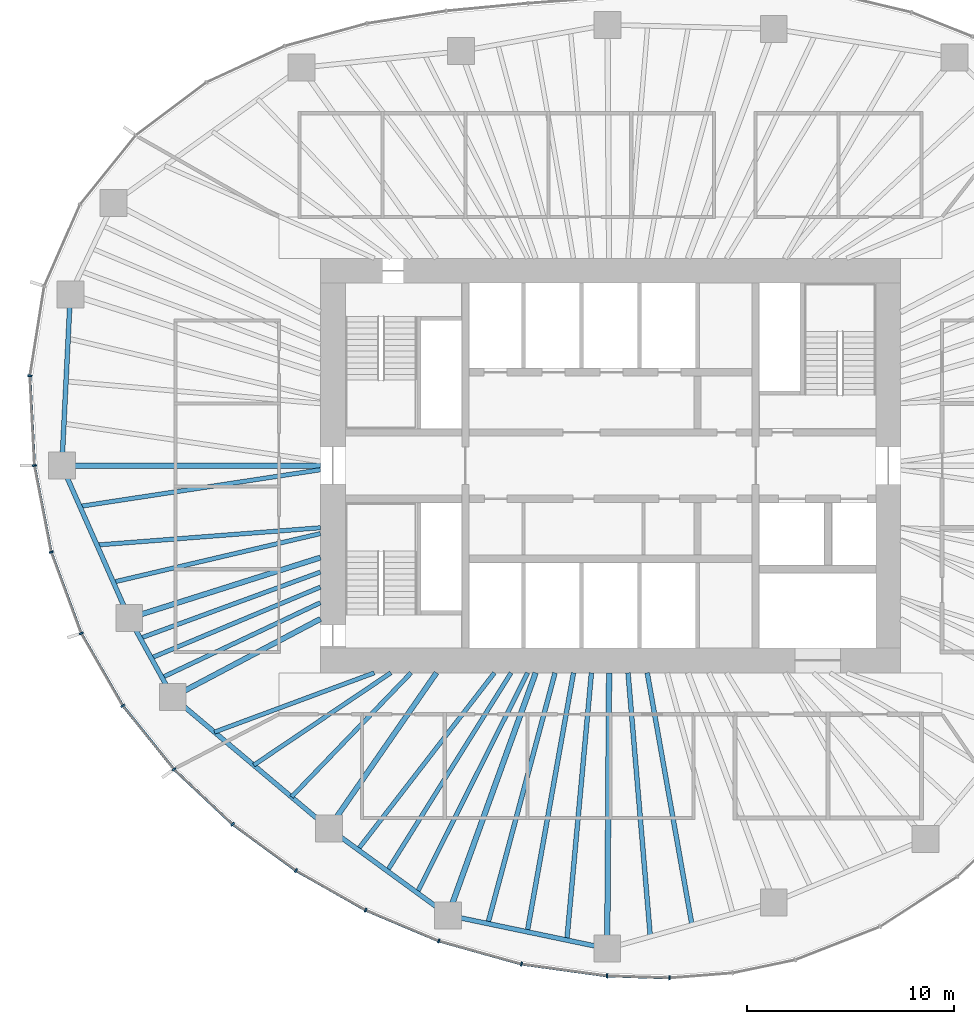
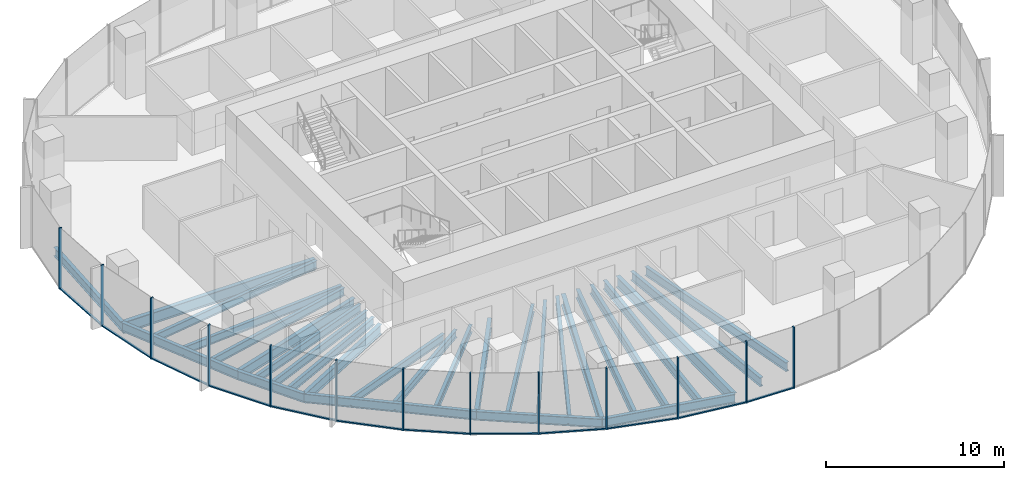
# One storey, part 2 of 12: 29 beams, 25 members, 7 elements without a shape of their own.
"""IFC4 building model written with IfcOpenShell, lengths in metres."""

from ifc_helpers import new_model, si_unit, direction, frame, origin, origin_2d, place, context, subcontext, project, spatial, rectangle, i_section, extrude, material, material_profile, profile_set, type_object, element, aggregate, save


model = new_model("IFC4")

# Units and contexts
model_context = context("Model", 3, precision=1e-05, world=origin(), true_north=direction((0.0, 1.0)))
body_context = subcontext(model_context, "Body", "Model", "MODEL_VIEW")
ifc_project = project(units=[si_unit("LENGTHUNIT", "METRE"), si_unit("AREAUNIT", "SQUARE_METRE"), si_unit("VOLUMEUNIT", "CUBIC_METRE"), si_unit("PLANEANGLEUNIT", "RADIAN"), si_unit("MASSUNIT", "GRAM", prefix="KILO")], contexts=[model_context])

# Site, building, storey
site_placement = place(None, origin())
site = spatial("IfcSite", under=ifc_project, at=site_placement, CompositionType="ELEMENT")
building_placement = place(site_placement, origin())
building = spatial("IfcBuilding", under=site, at=building_placement, Name="Ghaith Harvest Tower", CompositionType="ELEMENT")
storey_placement = place(building_placement, frame((0.0, 0.0, 203.199951171875)))
storey = spatial("IfcBuildingStorey", under=building, at=storey_placement, Name="L44", CompositionType="ELEMENT", Elevation=203.199951171875)

# Curtain wall, member
ifc_material_1 = material(Name="Black anodised aluminium and fritted glass", Category="aluminium")
curtain_wall_type = type_object("IfcCurtainWallType", Name="CW-H CURTAIN WALL", PredefinedType="NOTDEFINED", material=ifc_material_1)
curtain_wall_1_placement = place(storey_placement, origin())
curtain_wall_1 = element("IfcCurtainWall", 1, at=curtain_wall_1_placement, inside=storey, type_object=curtain_wall_type, Name="Curtain wall CW-H bay 10 L44", PredefinedType="NOTDEFINED")
ifc_material_2 = material(Name="Aluminium, black anodised", Category="aluminium")
ifc_material_profile_1 = material_profile(ifc_material_2, rectangle(XDim=0.080078125, YDim=0.199951171875, at=origin_2d()), Name="CW-H MULLION 80x200")
ifc_profile_set_1 = profile_set([ifc_material_profile_1], Name="Aluminium, black anodised")
member_type_1 = type_object("IfcMemberType", Name="CW-H MULLION 80x200", PredefinedType="MULLION", material=ifc_profile_set_1)
member_1_placement = place(storey_placement, frame((-28.015869140625, 4.333251953125, 0.0), z_axis=(0.0, 0.0, 1.0), x_axis=(-0.054116047044, -0.998534653105, 0.0)))
member_1 = element("IfcMember", 2, at=member_1_placement, type_object=member_type_1, Name="CW-H mullion 2 bay 10 L44", PredefinedType="MULLION", context=body_context, shape_type="SweptSolid", body=[
    extrude(rectangle(XDim=0.080078125, YDim=0.199951171875, at=origin_2d()), origin(), (0.0, 0.0, 1.0), 4.199951171875),
])

# Curtain wall, members
curtain_wall_2_placement = place(storey_placement, origin())
curtain_wall_2 = element("IfcCurtainWall", 3, at=curtain_wall_2_placement, inside=storey, type_object=curtain_wall_type, Name="Curtain wall CW-H bay 11 L44", PredefinedType="NOTDEFINED")
member_2_placement = place(storey_placement, frame((-27.794921875, 0.0, 0.0), z_axis=(0.0, 0.0, 1.0), x_axis=(0.12024996575, -0.992743645528, 0.0)))
member_2 = element("IfcMember", 4, at=member_2_placement, type_object=member_type_1, Name="CW-H mullion 1 bay 11 L44", PredefinedType="MULLION", context=body_context, shape_type="SweptSolid", body=[
    extrude(rectangle(XDim=0.080078125, YDim=0.199951171875, at=origin_2d()), origin(), (0.0, 0.0, 1.0), 4.199951171875),
])
member_3_placement = place(storey_placement, frame((-26.9853515625, -4.173828125, 0.0), z_axis=(0.0, 0.0, 1.0), x_axis=(0.268568830903, -0.963260495955, 0.0)))
member_3 = element("IfcMember", 5, at=member_3_placement, type_object=member_type_1, Name="CW-H mullion 2 bay 11 L44", PredefinedType="MULLION", context=body_context, shape_type="SweptSolid", body=[
    extrude(rectangle(XDim=0.080078125, YDim=0.199951171875, at=origin_2d()), origin(), (0.0, 0.0, 1.0), 4.199951171875),
])

curtain_wall_3_placement = place(storey_placement, origin())
curtain_wall_3 = element("IfcCurtainWall", 6, at=curtain_wall_3_placement, inside=storey, type_object=curtain_wall_type, Name="Curtain wall CW-H bay 12 L44", PredefinedType="NOTDEFINED")
member_4_placement = place(storey_placement, frame((-25.538330078125, -8.093505859375, 0.0), z_axis=(0.0, 0.0, 1.0), x_axis=(0.422308650185, -0.906452096903, 0.0)))
member_4 = element("IfcMember", 7, at=member_4_placement, type_object=member_type_1, Name="CW-H mullion 1 bay 12 L44", PredefinedType="MULLION", context=body_context, shape_type="SweptSolid", body=[
    extrude(rectangle(XDim=0.080078125, YDim=0.199951171875, at=origin_2d()), origin(), (0.0, 0.0, 1.0), 4.199951171875),
])
member_5_placement = place(storey_placement, frame((-23.533203125, -11.58349609375, 0.0), z_axis=(0.0, 0.0, 1.0), x_axis=(0.563616546013, -0.826036554312, 0.0)))
member_5 = element("IfcMember", 8, at=member_5_placement, type_object=member_type_1, Name="CW-H mullion 2 bay 12 L44", PredefinedType="MULLION", context=body_context, shape_type="SweptSolid", body=[
    extrude(rectangle(XDim=0.080078125, YDim=0.199951171875, at=origin_2d()), origin(), (0.0, 0.0, 1.0), 4.199951171875),
])

curtain_wall_4_placement = place(storey_placement, origin())
curtain_wall_4 = element("IfcCurtainWall", 9, at=curtain_wall_4_placement, inside=storey, type_object=curtain_wall_type, Name="Curtain wall CW-H bay 13 L44", PredefinedType="NOTDEFINED")
member_6_placement = place(storey_placement, frame((-21.0615234375, -14.65478515625, 0.0), z_axis=(0.0, 0.0, 1.0), x_axis=(0.679181589754, -0.733970277422, 0.0)))
member_6 = element("IfcMember", 10, at=member_6_placement, type_object=member_type_1, Name="CW-H mullion 1 bay 13 L44", PredefinedType="MULLION", context=body_context, shape_type="SweptSolid", body=[
    extrude(rectangle(XDim=0.080078125, YDim=0.199951171875, at=origin_2d()), origin(), (0.0, 0.0, 1.0), 4.199951171875),
])
member_7_placement = place(storey_placement, frame((-18.238037109375, -17.30615234375, 0.0), z_axis=(0.0, 0.0, 1.0), x_axis=(0.769216709506, -0.638987991919, 0.0)))
member_7 = element("IfcMember", 11, at=member_7_placement, type_object=member_type_1, Name="CW-H mullion 2 bay 13 L44", PredefinedType="MULLION", context=body_context, shape_type="SweptSolid", body=[
    extrude(rectangle(XDim=0.080078125, YDim=0.199951171875, at=origin_2d()), origin(), (0.0, 0.0, 1.0), 4.199951171875),
])

curtain_wall_5_placement = place(storey_placement, origin())
curtain_wall_5 = element("IfcCurtainWall", 12, at=curtain_wall_5_placement, inside=storey, type_object=curtain_wall_type, Name="Curtain wall CW-H bay 14 L44", PredefinedType="NOTDEFINED")
member_8_placement = place(storey_placement, frame((-15.177490234375, -19.542724609375, 0.0), z_axis=(0.0, 0.0, 1.0), x_axis=(0.840233591157, -0.5422245958, 0.0)))
member_8 = element("IfcMember", 13, at=member_8_placement, type_object=member_type_1, Name="CW-H mullion 1 bay 14 L44", PredefinedType="MULLION", context=body_context, shape_type="SweptSolid", body=[
    extrude(rectangle(XDim=0.080078125, YDim=0.199951171875, at=origin_2d()), origin(), (0.0, 0.0, 1.0), 4.199951171875),
])
member_9_placement = place(storey_placement, frame((-11.815185546875, -21.45068359375, 0.0), z_axis=(0.0, 0.0, 1.0), x_axis=(0.896852966189, -0.442328788389, 0.0)))
member_9 = element("IfcMember", 14, at=member_9_placement, type_object=member_type_1, Name="CW-H mullion 2 bay 14 L44", PredefinedType="MULLION", context=body_context, shape_type="SweptSolid", body=[
    extrude(rectangle(XDim=0.080078125, YDim=0.199951171875, at=origin_2d()), origin(), (0.0, 0.0, 1.0), 4.199951171875),
])

curtain_wall_6_placement = place(storey_placement, origin())
curtain_wall_6 = element("IfcCurtainWall", 15, at=curtain_wall_6_placement, inside=storey, type_object=curtain_wall_type, Name="Curtain wall CW-H bay 15 L44", PredefinedType="NOTDEFINED")
member_10_placement = place(storey_placement, frame((-8.285888671875, -22.941650390625, 0.0), z_axis=(0.0, 0.0, 1.0), x_axis=(0.944906041636, -0.327341675439, 0.0)))
member_10 = element("IfcMember", 16, at=member_10_placement, type_object=member_type_1, Name="CW-H mullion 1 bay 15 L44", PredefinedType="MULLION", context=body_context, shape_type="SweptSolid", body=[
    extrude(rectangle(XDim=0.080078125, YDim=0.199951171875, at=origin_2d()), origin(), (0.0, 0.0, 1.0), 4.199951171875),
])
member_11_placement = place(storey_placement, frame((-4.2958984375, -24.0556640625, 0.0), z_axis=(0.0, 0.0, 1.0), x_axis=(0.979161388311, -0.203083666601, 0.0)))
member_11 = element("IfcMember", 17, at=member_11_placement, type_object=member_type_1, Name="CW-H mullion 2 bay 15 L44", PredefinedType="MULLION", context=body_context, shape_type="SweptSolid", body=[
    extrude(rectangle(XDim=0.080078125, YDim=0.199951171875, at=origin_2d()), origin(), (0.0, 0.0, 1.0), 4.199951171875),
])

curtain_wall_7_placement = place(storey_placement, origin())
curtain_wall_7 = element("IfcCurtainWall", 18, at=curtain_wall_7_placement, inside=storey, type_object=curtain_wall_type, Name="Curtain wall CW-H bay 16 L44", PredefinedType="NOTDEFINED")
member_12_placement = place(storey_placement, frame((-0.16845703125, -24.625244140625, 0.0), z_axis=(0.0, 0.0, 1.0), x_axis=(0.99568459113, -0.092801912617, 0.0)))
member_12 = element("IfcMember", 19, at=member_12_placement, type_object=member_type_1, Name="CW-H mullion 1 bay 16 L44", PredefinedType="MULLION", context=body_context, shape_type="SweptSolid", body=[
    extrude(rectangle(XDim=0.080078125, YDim=0.199951171875, at=origin_2d()), origin(), (0.0, 0.0, 1.0), 4.199951171875),
])
member_13_placement = place(storey_placement, frame((2.84765625, -24.721435546875, 0.0), z_axis=(0.0, 0.0, 1.0), x_axis=(0.999724413906, 0.02347543907, 0.0)))
member_13 = element("IfcMember", 20, at=member_13_placement, type_object=member_type_1, Name="CW-H mullion 2 bay 16 L44", PredefinedType="MULLION", context=body_context, shape_type="SweptSolid", body=[
    extrude(rectangle(XDim=0.080078125, YDim=0.199951171875, at=origin_2d()), origin(), (0.0, 0.0, 1.0), 4.199951171875),
])

# Member
ifc_material_3 = material(Name="Aluminium, black anodised", Category="aluminium")
ifc_material_profile_2 = material_profile(ifc_material_3, rectangle(XDim=0.1298828125, YDim=0.080078125, at=origin_2d()), Name="CW-H TRANSOM 130x80")
ifc_profile_set_2 = profile_set([ifc_material_profile_2], Name="Aluminium, black anodised")
member_type_2 = type_object("IfcMemberType", Name="CW-H TRANSOM 130x80", PredefinedType="USERDEFINED", material=ifc_profile_set_2)
member_14_placement = place(storey_placement, frame((-28.013671875, 4.293212890625, 0.0400390625), z_axis=(0.05084969311, -0.998706317548, 0.0), x_axis=(0.998706317548, 0.05084969311, 0.0)))
member_14 = element("IfcMember", 21, at=member_14_placement, type_object=member_type_2, Name="CW-H transom 2 bay 10 L44", ObjectType="TRANSOM", PredefinedType="USERDEFINED", context=body_context, shape_type="SweptSolid", body=[
    extrude(rectangle(XDim=0.1298828125, YDim=0.080078125, at=origin_2d()), origin(), (0.0, 0.0, 1.0), 4.2587890625),
])

aggregate(curtain_wall_1, [member_1, member_14])

member_15_placement = place(storey_placement, frame((-27.787353515625, -0.039306640625, 0.0400390625), z_axis=(0.190440428338, -0.981698753821, 0.0), x_axis=(0.981698753821, 0.190440428338, 0.0)))
member_15 = element("IfcMember", 22, at=member_15_placement, type_object=member_type_2, Name="CW-H transom 1 bay 11 L44", ObjectType="TRANSOM", PredefinedType="USERDEFINED", context=body_context, shape_type="SweptSolid", body=[
    extrude(rectangle(XDim=0.1298828125, YDim=0.080078125, at=origin_2d()), origin(), (0.0, 0.0, 1.0), 4.171630859375),
])

member_16_placement = place(storey_placement, frame((-26.971435546875, -4.21142578125, 0.0400390625), z_axis=(0.346287782987, -0.93812833416, 0.0), x_axis=(0.93812833416, 0.346287782987, 0.0)))
member_16 = element("IfcMember", 23, at=member_16_placement, type_object=member_type_2, Name="CW-H transom 2 bay 11 L44", ObjectType="TRANSOM", PredefinedType="USERDEFINED", context=body_context, shape_type="SweptSolid", body=[
    extrude(rectangle(XDim=0.1298828125, YDim=0.080078125, at=origin_2d()), origin(), (0.0, 0.0, 1.0), 4.098388671875),
])

aggregate(curtain_wall_2, [member_2, member_15, member_3, member_16])

member_17_placement = place(storey_placement, frame((-25.5185546875, -8.128173828125, 0.0400390625), z_axis=(0.498176929488, -0.86707539864, 0.0), x_axis=(0.86707539864, 0.498176929488, 0.0)))
member_17 = element("IfcMember", 24, at=member_17_placement, type_object=member_type_2, Name="CW-H transom 1 bay 12 L44", ObjectType="TRANSOM", PredefinedType="USERDEFINED", context=body_context, shape_type="SweptSolid", body=[
    extrude(rectangle(XDim=0.1298828125, YDim=0.080078125, at=origin_2d()), origin(), (0.0, 0.0, 1.0), 3.945068359375),
])

member_18_placement = place(storey_placement, frame((-23.508056640625, -11.61474609375, 0.0400390625), z_axis=(0.626958878139, -0.779052350694, 0.0), x_axis=(0.779052350694, 0.626958878139, 0.0)))
member_18 = element("IfcMember", 25, at=member_18_placement, type_object=member_type_2, Name="CW-H transom 2 bay 12 L44", ObjectType="TRANSOM", PredefinedType="USERDEFINED", context=body_context, shape_type="SweptSolid", body=[
    extrude(rectangle(XDim=0.1298828125, YDim=0.080078125, at=origin_2d()), origin(), (0.0, 0.0, 1.0), 3.862060546875),
])

aggregate(curtain_wall_3, [member_4, member_17, member_5, member_18])

member_19_placement = place(storey_placement, frame((-21.032470703125, -14.68212890625, 0.0400390625), z_axis=(0.729025183709, -0.684486874613, 0.0), x_axis=(0.684486874613, 0.729025183709, 0.0)))
member_19 = element("IfcMember", 26, at=member_19_placement, type_object=member_type_2, Name="CW-H transom 1 bay 13 L44", ObjectType="TRANSOM", PredefinedType="USERDEFINED", context=body_context, shape_type="SweptSolid", body=[
    extrude(rectangle(XDim=0.1298828125, YDim=0.080078125, at=origin_2d()), origin(), (0.0, 0.0, 1.0), 3.793212890625),
])

member_20_placement = place(storey_placement, frame((-18.20556640625, -17.32958984375, 0.0400390625), z_axis=(0.807368217185, -0.590047931849, 0.0), x_axis=(0.590047931849, 0.807368217185, 0.0)))
member_20 = element("IfcMember", 27, at=member_20_placement, type_object=member_type_2, Name="CW-H transom 2 bay 13 L44", ObjectType="TRANSOM", PredefinedType="USERDEFINED", context=body_context, shape_type="SweptSolid", body=[
    extrude(rectangle(XDim=0.1298828125, YDim=0.080078125, at=origin_2d()), origin(), (0.0, 0.0, 1.0), 3.710693359375),
])

aggregate(curtain_wall_4, [member_6, member_19, member_7, member_20])

member_21_placement = place(storey_placement, frame((-15.142822265625, -19.5625, 0.0400390625), z_axis=(0.869735291487, -0.493518513068, 0.0), x_axis=(0.493518513068, 0.869735291487, 0.0)))
member_21 = element("IfcMember", 28, at=member_21_placement, type_object=member_type_2, Name="CW-H transom 1 bay 14 L44", ObjectType="TRANSOM", PredefinedType="USERDEFINED", context=body_context, shape_type="SweptSolid", body=[
    extrude(rectangle(XDim=0.1298828125, YDim=0.080078125, at=origin_2d()), origin(), (0.0, 0.0, 1.0), 3.785888671875),
])

member_22_placement = place(storey_placement, frame((-11.7783203125, -21.46630859375, 0.0400390625), z_axis=(0.921182691948, -0.38913037411, 0.0), x_axis=(0.38913037411, 0.921182691948, 0.0)))
member_22 = element("IfcMember", 29, at=member_22_placement, type_object=member_type_2, Name="CW-H transom 2 bay 14 L44", ObjectType="TRANSOM", PredefinedType="USERDEFINED", context=body_context, shape_type="SweptSolid", body=[
    extrude(rectangle(XDim=0.1298828125, YDim=0.080078125, at=origin_2d()), origin(), (0.0, 0.0, 1.0), 3.751220703125),
])

aggregate(curtain_wall_5, [member_8, member_21, member_9, member_22])

member_23_placement = place(storey_placement, frame((-8.24755859375, -22.952392578125, 0.0400390625), z_axis=(0.963164092269, -0.268914356932, 0.0), x_axis=(0.268914356932, 0.963164092269, 0.0)))
member_23 = element("IfcMember", 30, at=member_23_placement, type_object=member_type_2, Name="CW-H transom 1 bay 15 L44", ObjectType="TRANSOM", PredefinedType="USERDEFINED", context=body_context, shape_type="SweptSolid", body=[
    extrude(rectangle(XDim=0.1298828125, YDim=0.080078125, at=origin_2d()), origin(), (0.0, 0.0, 1.0), 4.062744140625),
])

member_24_placement = place(storey_placement, frame((-4.25634765625, -24.06103515625, 0.0400390625), z_axis=(0.990605228149, -0.136752630555, 0.0), x_axis=(0.136752630555, 0.990605228149, 0.0)))
member_24 = element("IfcMember", 31, at=member_24_placement, type_object=member_type_2, Name="CW-H transom 2 bay 15 L44", ObjectType="TRANSOM", PredefinedType="USERDEFINED", context=body_context, shape_type="SweptSolid", body=[
    extrude(rectangle(XDim=0.1298828125, YDim=0.080078125, at=origin_2d()), origin(), (0.0, 0.0, 1.0), 4.08642578125),
])

aggregate(curtain_wall_6, [member_10, member_23, member_11, member_24])

member_25_placement = place(storey_placement, frame((-0.128662109375, -24.62646484375, 0.0400390625), z_axis=(0.999490770233, -0.031909249731, 0.0), x_axis=(0.031909249731, 0.999490770233, 0.0)))
member_25 = element("IfcMember", 32, at=member_25_placement, type_object=member_type_2, Name="CW-H transom 1 bay 16 L44", ObjectType="TRANSOM", PredefinedType="USERDEFINED", context=body_context, shape_type="SweptSolid", body=[
    extrude(rectangle(XDim=0.1298828125, YDim=0.080078125, at=origin_2d()), origin(), (0.0, 0.0, 1.0), 2.93798828125),
])

aggregate(curtain_wall_7, [member_12, member_25, member_13])

# Beams
ifc_material_4 = material(Name="Steel ASTM A992 Grade 50", Category="steel")
ifc_material_profile_3 = material_profile(ifc_material_4, i_section(OverallWidth=0.22900390625, OverallDepth=0.612060546875, WebThickness=0.011962890625, FlangeThickness=0.01953125, at=origin_2d()), Name="W610X125")
ifc_profile_set_3 = profile_set([ifc_material_profile_3], Name="Steel ASTM A992 Grade 50")
beam_type_1 = type_object("IfcBeamType", Name="E610-125 W610X125", PredefinedType="SPANDREL", material=ifc_profile_set_3)
beam_1_placement = place(storey_placement, frame((-26.06689453125, 8.260986328125, -0.475830078125), z_axis=(-0.049353148492, -0.998781390863, 0.0), x_axis=(0.998781390863, -0.049353148492, 0.0)))
element("IfcBeam", 33, at=beam_1_placement, inside=storey, type_object=beam_type_1, Name="Edge beam E10 L44", PredefinedType="SPANDREL", context=body_context, shape_type="SweptSolid", body=[
    extrude(i_section(OverallWidth=0.22900390625, OverallDepth=0.612060546875, WebThickness=0.011962890625, FlangeThickness=0.01953125, at=origin_2d()), origin(), (0.0, 0.0, 1.0), 8.27099609375),
])
beam_2_placement = place(storey_placement, frame((-26.47509765625, 0.0, -0.475830078125), z_axis=(0.404042817399, -0.914740073304, 0.0), x_axis=(0.914740073304, 0.404042817399, 0.0)))
element("IfcBeam", 34, at=beam_2_placement, inside=storey, type_object=beam_type_1, Name="Edge beam E11 L44", PredefinedType="SPANDREL", context=body_context, shape_type="SweptSolid", body=[
    extrude(i_section(OverallWidth=0.22900390625, OverallDepth=0.612060546875, WebThickness=0.011962890625, FlangeThickness=0.01953125, at=origin_2d()), origin(), (0.0, 0.0, 1.0), 8.046142578125),
])
beam_3_placement = place(storey_placement, frame((-23.22412109375, -7.360107421875, -0.475830078125), z_axis=(0.482955575345, -0.875644855089, 0.0), x_axis=(0.875644855089, 0.482955575345, 0.0)))
element("IfcBeam", 35, at=beam_3_placement, inside=storey, type_object=beam_type_1, Name="Edge beam E12 L44", PredefinedType="SPANDREL", context=body_context, shape_type="SweptSolid", body=[
    extrude(i_section(OverallWidth=0.22900390625, OverallDepth=0.612060546875, WebThickness=0.011962890625, FlangeThickness=0.01953125, at=origin_2d()), origin(), (0.0, 0.0, 1.0), 4.346435546875),
])
beam_4_placement = place(storey_placement, frame((-21.125, -11.166015625, -0.475830078125), z_axis=(0.765021818761, -0.64400436087, 0.0), x_axis=(0.64400436087, 0.765021818761, 0.0)))
element("IfcBeam", 36, at=beam_4_placement, inside=storey, type_object=beam_type_1, Name="Edge beam E13 L44", PredefinedType="SPANDREL", context=body_context, shape_type="SweptSolid", body=[
    extrude(i_section(OverallWidth=0.22900390625, OverallDepth=0.612060546875, WebThickness=0.011962890625, FlangeThickness=0.01953125, at=origin_2d()), origin(), (0.0, 0.0, 1.0), 9.8427734375),
])
beam_5_placement = place(storey_placement, frame((-13.594970703125, -17.5048828125, -0.475830078125), z_axis=(0.808194782503, -0.588915268553, 0.0), x_axis=(0.588915268553, 0.808194782503, 0.0)))
element("IfcBeam", 37, at=beam_5_placement, inside=storey, type_object=beam_type_1, Name="Edge beam E14 L44", PredefinedType="SPANDREL", context=body_context, shape_type="SweptSolid", body=[
    extrude(i_section(OverallWidth=0.22900390625, OverallDepth=0.612060546875, WebThickness=0.011962890625, FlangeThickness=0.01953125, at=origin_2d()), origin(), (0.0, 0.0, 1.0), 7.123291015625),
])
beam_6_placement = place(storey_placement, frame((-7.837890625, -21.699951171875, -0.475830078125), z_axis=(0.978847910797, -0.20458926543, 0.0), x_axis=(0.20458926543, 0.978847910797, 0.0)))
element("IfcBeam", 38, at=beam_6_placement, inside=storey, type_object=beam_type_1, Name="Edge beam E15 L44", PredefinedType="SPANDREL", context=body_context, shape_type="SweptSolid", body=[
    extrude(i_section(OverallWidth=0.22900390625, OverallDepth=0.612060546875, WebThickness=0.011962890625, FlangeThickness=0.01953125, at=origin_2d()), origin(), (0.0, 0.0, 1.0), 7.844970703125),
])
ifc_material_5 = material(Name="Steel ASTM A992 Grade 50", Category="steel")
ifc_material_profile_4 = material_profile(ifc_material_5, i_section(OverallWidth=0.256103515625, OverallDepth=0.693115234375, WebThickness=0.014404296875, FlangeThickness=0.023681640625, at=origin_2d()), Name="W690X170")
ifc_profile_set_4 = profile_set([ifc_material_profile_4], Name="Steel ASTM A992 Grade 50")
beam_type_2 = type_object("IfcBeamType", Name="G690-170 W690X170", PredefinedType="BEAM", material=ifc_profile_set_4)
beam_7_placement = place(storey_placement, frame((-14.0, -4.43701171875, -0.516357421875), z_axis=(-0.953279028151, -0.302091202267, 0.0), x_axis=(0.302091202267, -0.953279028151, 0.0)))
element("IfcBeam", 39, at=beam_7_placement, inside=storey, type_object=beam_type_2, Name="Radial girder G12 L44", PredefinedType="BEAM", context=body_context, shape_type="SweptSolid", body=[
    extrude(i_section(OverallWidth=0.256103515625, OverallDepth=0.693115234375, WebThickness=0.014404296875, FlangeThickness=0.023681640625, at=origin_2d()), origin(), (0.0, 0.0, 1.0), 9.67626953125),
])
beam_8_placement = place(storey_placement, frame((-14.0, -7.39990234375, -0.516357421875), z_axis=(-0.88409279474, -0.46731138472, 0.0), x_axis=(0.46731138472, -0.88409279474, 0.0)))
element("IfcBeam", 40, at=beam_8_placement, inside=storey, type_object=beam_type_2, Name="Radial girder G13 L44", PredefinedType="BEAM", context=body_context, shape_type="SweptSolid", body=[
    extrude(i_section(OverallWidth=0.256103515625, OverallDepth=0.693115234375, WebThickness=0.014404296875, FlangeThickness=0.023681640625, at=origin_2d()), origin(), (0.0, 0.0, 1.0), 8.05908203125),
])
beam_9_placement = place(storey_placement, frame((-8.39990234375, -10.0, -0.516357421875), z_axis=(-0.569164078909, -0.822223966617, 0.0), x_axis=(0.822223966617, -0.569164078909, 0.0)))
element("IfcBeam", 41, at=beam_9_placement, inside=storey, type_object=beam_type_2, Name="Radial girder G14 L44", PredefinedType="BEAM", context=body_context, shape_type="SweptSolid", body=[
    extrude(i_section(OverallWidth=0.256103515625, OverallDepth=0.693115234375, WebThickness=0.014404296875, FlangeThickness=0.023681640625, at=origin_2d()), origin(), (0.0, 0.0, 1.0), 9.12744140625),
])
ifc_material_6 = material(Name="Steel ASTM A992 Grade 50", Category="steel")
ifc_material_profile_5 = material_profile(ifc_material_6, i_section(OverallWidth=0.26806640625, OverallDepth=0.77001953125, WebThickness=0.015625, FlangeThickness=0.025390625, at=origin_2d()), Name="W760X196")
ifc_profile_set_5 = profile_set([ifc_material_profile_5], Name="Steel ASTM A992 Grade 50")
beam_type_3 = type_object("IfcBeamType", Name="G760-196 W760X196", PredefinedType="BEAM", material=ifc_profile_set_5)
beam_10_placement = place(storey_placement, frame((-14.0, 0.0, -0.554931640625), z_axis=(-1.0, 0.0, 0.0), x_axis=(0.0, -1.0, 0.0)))
element("IfcBeam", 42, at=beam_10_placement, inside=storey, type_object=beam_type_3, Name="Radial girder G11 L44", PredefinedType="BEAM", context=body_context, shape_type="SweptSolid", body=[
    extrude(i_section(OverallWidth=0.26806640625, OverallDepth=0.77001953125, WebThickness=0.015625, FlangeThickness=0.025390625, at=origin_2d()), origin(), (0.0, 0.0, 1.0), 12.47509765625),
])
beam_11_placement = place(storey_placement, frame((-3.61181640625, -10.0, -0.554931640625), z_axis=(-0.339722108335, -0.940525857756, 0.0), x_axis=(0.940525857756, -0.339722108335, 0.0)))
element("IfcBeam", 43, at=beam_11_placement, inside=storey, type_object=beam_type_3, Name="Radial girder G15 L44", PredefinedType="BEAM", context=body_context, shape_type="SweptSolid", body=[
    extrude(i_section(OverallWidth=0.26806640625, OverallDepth=0.77001953125, WebThickness=0.015625, FlangeThickness=0.025390625, at=origin_2d()), origin(), (0.0, 0.0, 1.0), 12.439697265625),
])
beam_12_placement = place(storey_placement, frame((-0.068359375, -10.0, -0.554931640625), z_axis=(-0.00680755644, -0.999976828319, 0.0), x_axis=(0.999976828319, -0.00680755644, 0.0)))
element("IfcBeam", 44, at=beam_12_placement, inside=storey, type_object=beam_type_3, Name="Radial girder G16 L44", PredefinedType="BEAM", context=body_context, shape_type="SweptSolid", body=[
    extrude(i_section(OverallWidth=0.26806640625, OverallDepth=0.77001953125, WebThickness=0.015625, FlangeThickness=0.025390625, at=origin_2d()), origin(), (0.0, 0.0, 1.0), 13.30517578125),
])
ifc_material_7 = material(Name="Steel ASTM A992 Grade 50", Category="steel")
ifc_material_profile_6 = material_profile(ifc_material_7, i_section(OverallWidth=0.2109375, OverallDepth=0.5390625, WebThickness=0.01171875, FlangeThickness=0.018798828125, at=origin_2d()), Name="W530X109")
ifc_profile_set_6 = profile_set([ifc_material_profile_6], Name="Steel ASTM A992 Grade 50")
beam_type_4 = type_object("IfcBeamType", Name="J530-109 W530X109", PredefinedType="JOIST", material=ifc_profile_set_6)
beam_13_placement = place(storey_placement, frame((-14.0, -0.199951171875, -0.439453125), z_axis=(-0.988587077715, -0.150650555178, 0.0), x_axis=(0.150650555178, -0.988587077715, 0.0)))
element("IfcBeam", 45, at=beam_13_placement, inside=storey, type_object=beam_type_4, Name="Joist J11.1 L44", PredefinedType="JOIST", context=body_context, shape_type="SweptSolid", body=[
    extrude(i_section(OverallWidth=0.2109375, OverallDepth=0.5390625, WebThickness=0.01171875, FlangeThickness=0.018798828125, at=origin_2d()), origin(), (0.0, 0.0, 1.0), 11.739501953125),
])
beam_14_placement = place(storey_placement, frame((-14.0, -3.0, -0.439453125), z_axis=(-0.997028799301, -0.077029691443, 0.0), x_axis=(0.077029691443, -0.997028799301, 0.0)))
element("IfcBeam", 46, at=beam_14_placement, inside=storey, type_object=beam_type_4, Name="Joist J11.2 L44", PredefinedType="JOIST", context=body_context, shape_type="SweptSolid", body=[
    extrude(i_section(OverallWidth=0.2109375, OverallDepth=0.5390625, WebThickness=0.01171875, FlangeThickness=0.018798828125, at=origin_2d()), origin(), (0.0, 0.0, 1.0), 10.814208984375),
])
beam_15_placement = place(storey_placement, frame((-14.0, -3.280517578125, -0.439453125), z_axis=(-0.97362176086, -0.22816806696, 0.0), x_axis=(0.22816806696, -0.97362176086, 0.0)))
element("IfcBeam", 47, at=beam_15_placement, inside=storey, type_object=beam_type_4, Name="Joist J11.3 L44", PredefinedType="JOIST", context=body_context, shape_type="SweptSolid", body=[
    extrude(i_section(OverallWidth=0.2109375, OverallDepth=0.5390625, WebThickness=0.01171875, FlangeThickness=0.018798828125, at=origin_2d()), origin(), (0.0, 0.0, 1.0), 10.262451171875),
])
beam_16_placement = place(storey_placement, frame((-5.60009765625, -10.0, -0.439453125), z_axis=(-0.611412687895, -0.791311901264, 0.0), x_axis=(0.791311901264, -0.611412687895, 0.0)))
element("IfcBeam", 48, at=beam_16_placement, inside=storey, type_object=beam_type_4, Name="Joist J14.1 L44", PredefinedType="JOIST", context=body_context, shape_type="SweptSolid", body=[
    extrude(i_section(OverallWidth=0.2109375, OverallDepth=0.5390625, WebThickness=0.01171875, FlangeThickness=0.018798828125, at=origin_2d()), origin(), (0.0, 0.0, 1.0), 10.778076171875),
])
beam_17_placement = place(storey_placement, frame((-4.800048828125, -10.0, -0.439453125), z_axis=(-0.529921073682, -0.848046965484, 0.0), x_axis=(0.848046965484, -0.529921073682, 0.0)))
element("IfcBeam", 49, at=beam_17_placement, inside=storey, type_object=beam_type_4, Name="Joist J14.2 L44", PredefinedType="JOIST", context=body_context, shape_type="SweptSolid", body=[
    extrude(i_section(OverallWidth=0.2109375, OverallDepth=0.5390625, WebThickness=0.01171875, FlangeThickness=0.018798828125, at=origin_2d()), origin(), (0.0, 0.0, 1.0), 11.273681640625),
])
beam_18_placement = place(storey_placement, frame((-4.0, -10.0, -0.439453125), z_axis=(-0.448791718068, -0.893636387908, 0.0), x_axis=(0.893636387908, -0.448791718068, 0.0)))
element("IfcBeam", 50, at=beam_18_placement, inside=storey, type_object=beam_type_4, Name="Joist J14.3 L44", PredefinedType="JOIST", context=body_context, shape_type="SweptSolid", body=[
    extrude(i_section(OverallWidth=0.2109375, OverallDepth=0.5390625, WebThickness=0.01171875, FlangeThickness=0.018798828125, at=origin_2d()), origin(), (0.0, 0.0, 1.0), 11.8759765625),
])
ifc_material_8 = material(Name="Steel ASTM A992 Grade 50", Category="steel")
ifc_material_profile_7 = material_profile(ifc_material_8, i_section(OverallWidth=0.208984375, OverallDepth=0.532958984375, WebThickness=0.01025390625, FlangeThickness=0.015625, at=origin_2d()), Name="W530X92")
ifc_profile_set_7 = profile_set([ifc_material_profile_7], Name="Steel ASTM A992 Grade 50")
beam_type_5 = type_object("IfcBeamType", Name="J530-92 W530X92", PredefinedType="JOIST", material=ifc_profile_set_7)
beam_19_placement = place(storey_placement, frame((-14.0, -5.137939453125, -0.4365234375), z_axis=(-0.93877284801, -0.34453670318, 0.0), x_axis=(0.34453670318, -0.93877284801, 0.0)))
element("IfcBeam", 51, at=beam_19_placement, inside=storey, type_object=beam_type_5, Name="Joist J12.1 L44", PredefinedType="JOIST", context=body_context, shape_type="SweptSolid", body=[
    extrude(i_section(OverallWidth=0.208984375, OverallDepth=0.532958984375, WebThickness=0.01025390625, FlangeThickness=0.015625, at=origin_2d()), origin(), (0.0, 0.0, 1.0), 9.25732421875),
])
beam_20_placement = place(storey_placement, frame((-14.0, -5.862548828125, -0.4365234375), z_axis=(-0.922387515293, -0.386265804377, 0.0), x_axis=(0.386265804377, -0.922387515293, 0.0)))
element("IfcBeam", 52, at=beam_20_placement, inside=storey, type_object=beam_type_5, Name="Joist J12.2 L44", PredefinedType="JOIST", context=body_context, shape_type="SweptSolid", body=[
    extrude(i_section(OverallWidth=0.208984375, OverallDepth=0.532958984375, WebThickness=0.01025390625, FlangeThickness=0.015625, at=origin_2d()), origin(), (0.0, 0.0, 1.0), 8.851318359375),
])
beam_21_placement = place(storey_placement, frame((-14.0, -6.614990234375, -0.4365234375), z_axis=(-0.90415786724, -0.427198491462, 0.0), x_axis=(0.427198491462, -0.90415786724, 0.0)))
element("IfcBeam", 53, at=beam_21_placement, inside=storey, type_object=beam_type_5, Name="Joist J12.3 L44", PredefinedType="JOIST", context=body_context, shape_type="SweptSolid", body=[
    extrude(i_section(OverallWidth=0.208984375, OverallDepth=0.532958984375, WebThickness=0.01025390625, FlangeThickness=0.015625, at=origin_2d()), origin(), (0.0, 0.0, 1.0), 8.45361328125),
])
beam_22_placement = place(storey_placement, frame((-11.39990234375, -10.0, -0.4365234375), z_axis=(-0.937594001899, -0.34773191916, 0.0), x_axis=(0.34773191916, -0.937594001899, 0.0)))
element("IfcBeam", 54, at=beam_22_placement, inside=storey, type_object=beam_type_5, Name="Joist J13.1 L44", PredefinedType="JOIST", context=body_context, shape_type="SweptSolid", body=[
    extrude(i_section(OverallWidth=0.208984375, OverallDepth=0.532958984375, WebThickness=0.01025390625, FlangeThickness=0.015625, at=origin_2d()), origin(), (0.0, 0.0, 1.0), 8.225830078125),
])
beam_23_placement = place(storey_placement, frame((-10.60009765625, -10.0, -0.4365234375), z_axis=(-0.829594017544, -0.55836705316, 0.0), x_axis=(0.55836705316, -0.829594017544, 0.0)))
element("IfcBeam", 55, at=beam_23_placement, inside=storey, type_object=beam_type_5, Name="Joist J13.2 L44", PredefinedType="JOIST", context=body_context, shape_type="SweptSolid", body=[
    extrude(i_section(OverallWidth=0.208984375, OverallDepth=0.532958984375, WebThickness=0.01025390625, FlangeThickness=0.015625, at=origin_2d()), origin(), (0.0, 0.0, 1.0), 7.977783203125),
])
beam_24_placement = place(storey_placement, frame((-9.626708984375, -10.0, -0.4365234375), z_axis=(-0.693546892509, -0.720411485119, 0.0), x_axis=(0.720411485119, -0.693546892509, 0.0)))
element("IfcBeam", 56, at=beam_24_placement, inside=storey, type_object=beam_type_5, Name="Joist J13.3 L44", PredefinedType="JOIST", context=body_context, shape_type="SweptSolid", body=[
    extrude(i_section(OverallWidth=0.208984375, OverallDepth=0.532958984375, WebThickness=0.01025390625, FlangeThickness=0.015625, at=origin_2d()), origin(), (0.0, 0.0, 1.0), 8.3154296875),
])
ifc_material_9 = material(Name="Steel ASTM A992 Grade 50", Category="steel")
ifc_material_profile_8 = material_profile(ifc_material_9, i_section(OverallWidth=0.22900390625, OverallDepth=0.612060546875, WebThickness=0.011962890625, FlangeThickness=0.01953125, at=origin_2d()), Name="W610X125")
ifc_profile_set_8 = profile_set([ifc_material_profile_8], Name="Steel ASTM A992 Grade 50")
beam_type_6 = type_object("IfcBeamType", Name="J610-125 W610X125", PredefinedType="JOIST", material=ifc_profile_set_8)
beam_25_placement = place(storey_placement, frame((-2.677978515625, -10.0, -0.475830078125), z_axis=(-0.258683807585, -0.965962052926, 0.0), x_axis=(0.965962052926, -0.258683807585, 0.0)))
element("IfcBeam", 57, at=beam_25_placement, inside=storey, type_object=beam_type_6, Name="Joist J15.1 L44", PredefinedType="JOIST", context=body_context, shape_type="SweptSolid", body=[
    extrude(i_section(OverallWidth=0.22900390625, OverallDepth=0.612060546875, WebThickness=0.011962890625, FlangeThickness=0.01953125, at=origin_2d()), origin(), (0.0, 0.0, 1.0), 12.52783203125),
])
beam_26_placement = place(storey_placement, frame((-1.785888671875, -10.0, -0.475830078125), z_axis=(-0.17579463172, -0.984426862422, 0.0), x_axis=(0.984426862422, -0.17579463172, 0.0)))
element("IfcBeam", 58, at=beam_26_placement, inside=storey, type_object=beam_type_6, Name="Joist J15.2 L44", PredefinedType="JOIST", context=body_context, shape_type="SweptSolid", body=[
    extrude(i_section(OverallWidth=0.22900390625, OverallDepth=0.612060546875, WebThickness=0.011962890625, FlangeThickness=0.01953125, at=origin_2d()), origin(), (0.0, 0.0, 1.0), 12.6962890625),
])
beam_27_placement = place(storey_placement, frame((-0.92041015625, -10.0, -0.475830078125), z_axis=(-0.091645483251, -0.995791697796, 0.0), x_axis=(0.995791697796, -0.091645483251, 0.0)))
element("IfcBeam", 59, at=beam_27_placement, inside=storey, type_object=beam_type_6, Name="Joist J15.3 L44", PredefinedType="JOIST", context=body_context, shape_type="SweptSolid", body=[
    extrude(i_section(OverallWidth=0.22900390625, OverallDepth=0.612060546875, WebThickness=0.011962890625, FlangeThickness=0.01953125, at=origin_2d()), origin(), (0.0, 0.0, 1.0), 12.9521484375),
])
beam_28_placement = place(storey_placement, frame((0.844970703125, -10.0, -0.475830078125), z_axis=(0.084217590158, -0.996447388229, 0.0), x_axis=(0.996447388229, 0.084217590158, 0.0)))
element("IfcBeam", 60, at=beam_28_placement, inside=storey, type_object=beam_type_6, Name="Joist J16.1 L44", PredefinedType="JOIST", context=body_context, shape_type="SweptSolid", body=[
    extrude(i_section(OverallWidth=0.22900390625, OverallDepth=0.612060546875, WebThickness=0.011962890625, FlangeThickness=0.01953125, at=origin_2d()), origin(), (0.0, 0.0, 1.0), 12.772705078125),
])
beam_29_placement = place(storey_placement, frame((1.772705078125, -10.0, -0.475830078125), z_axis=(0.174551600477, -0.984648027861, 0.0), x_axis=(0.984648027861, 0.174551600477, 0.0)))
element("IfcBeam", 61, at=beam_29_placement, inside=storey, type_object=beam_type_6, Name="Joist J16.2 L44", PredefinedType="JOIST", context=body_context, shape_type="SweptSolid", body=[
    extrude(i_section(OverallWidth=0.22900390625, OverallDepth=0.612060546875, WebThickness=0.011962890625, FlangeThickness=0.01953125, at=origin_2d()), origin(), (0.0, 0.0, 1.0), 12.358642578125),
])

save(model, "model.ifc")
